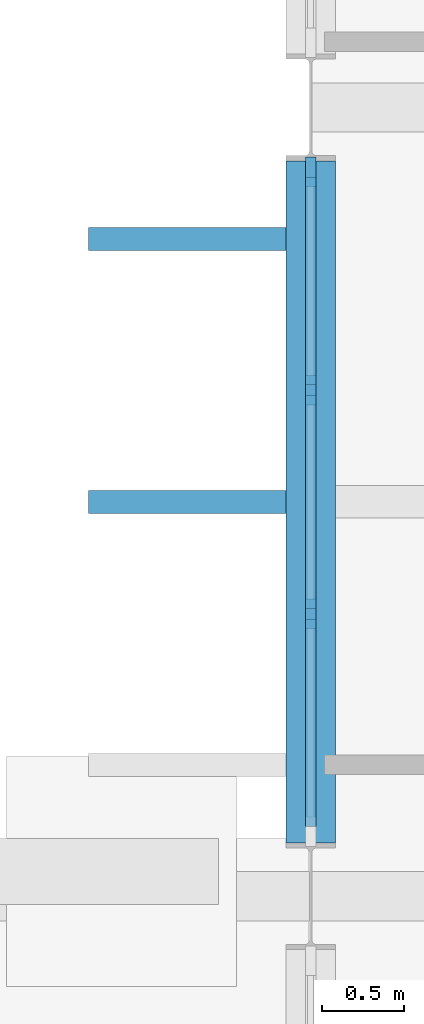
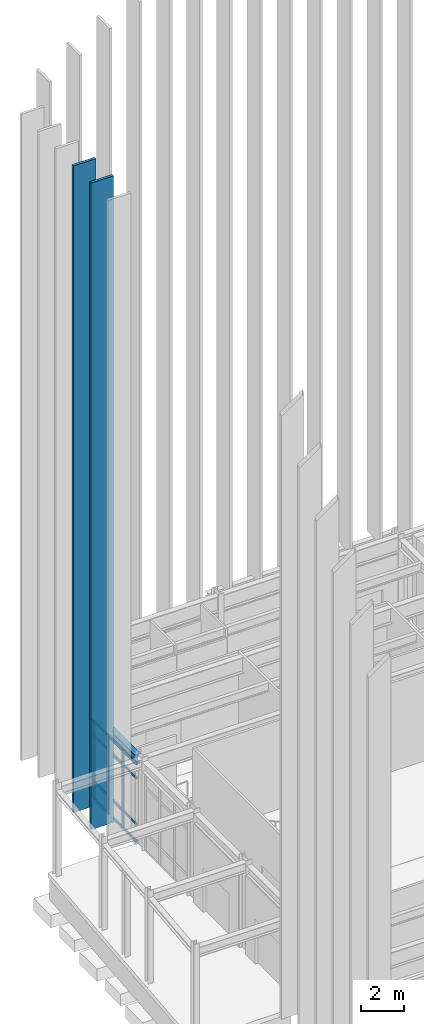
# One storey, part 46 of 109: 17 members, 1 beam, 1 element without a shape of its own.
"""IFC4 building model written with IfcOpenShell, lengths in metres."""

from ifc_helpers import new_model, si_unit, direction, frame, origin, origin_2d, place, context, subcontext, project, spatial, rectangle, i_section, extrude, material, layer, layer_set, material_profile, profile_set, type_object, element, aggregate, save


model = new_model("IFC4")

# Units and contexts
model_context = context("Model", 3, precision=1e-05, world=origin(), true_north=direction((0.0, 1.0)))
body_context = subcontext(model_context, "Body", "Model", "MODEL_VIEW")
ifc_project = project(units=[si_unit("LENGTHUNIT", "METRE"), si_unit("AREAUNIT", "SQUARE_METRE"), si_unit("VOLUMEUNIT", "CUBIC_METRE"), si_unit("PLANEANGLEUNIT", "RADIAN"), si_unit("MASSUNIT", "GRAM", prefix="KILO")], contexts=[model_context])

# Site, building, storey
site_placement = place(None, origin())
site = spatial("IfcSite", under=ifc_project, at=site_placement, CompositionType="ELEMENT")
building_placement = place(site_placement, origin())
building = spatial("IfcBuilding", under=site, at=building_placement, Name="Nordkorset Police Headquarters", CompositionType="ELEMENT")
storey_placement = place(building_placement, origin())
storey = spatial("IfcBuildingStorey", under=building, at=storey_placement, Name="L00", CompositionType="ELEMENT", Elevation=0.0)

# Curtain wall, members
ifc_material_1 = material(Name="Aluminium alloy AW-6060", Category="aluminium")
ifc_layer = layer(ifc_material_1, 0.179931640625, Name="Aluminium alloy AW-6060")
ifc_layer_set = layer_set([ifc_layer], Name="Aluminium alloy AW-6060")
curtain_wall_type = type_object("IfcCurtainWallType", Name="CW_Unit_408x444", PredefinedType="USERDEFINED", material=ifc_layer_set)
curtain_wall_placement = place(storey_placement, origin())
curtain_wall = element("IfcCurtainWall", 1, at=curtain_wall_placement, inside=storey, type_object=curtain_wall_type, Name="Unitised Curtain Wall L00 V1W-5", ObjectType="UNITISED CURTAIN WALL", PredefinedType="USERDEFINED")
ifc_material_2 = material(Name="Aluminium alloy AW-6060", Category="aluminium")
ifc_material_profile_1 = material_profile(ifc_material_2, rectangle(XDim=0.06494140625, YDim=0.179931640625, at=origin_2d()), Name="ALU MULL 65x180")
ifc_profile_set_1 = profile_set([ifc_material_profile_1], Name="Aluminium alloy AW-6060")
member_type_1 = type_object("IfcMemberType", Name="CW_Mullion_65x180", PredefinedType="MULLION", material=ifc_profile_set_1)
member_1_placement = place(storey_placement, frame((0.0, 108.919921875, 0.0), z_axis=(0.0, 0.0, 1.0), x_axis=(-1.0, 0.0, 0.0)))
member_1 = element("IfcMember", 2, at=member_1_placement, type_object=member_type_1, Name="CW-66 mullion 2", PredefinedType="MULLION", context=body_context, shape_type="SweptSolid", body=[
    extrude(rectangle(XDim=0.06494140625, YDim=0.179931640625, at=origin_2d()), origin(), (0.0, 0.0, 1.0), 4.43994140625),
])
member_2_placement = place(storey_placement, frame((0.0, 110.280029296875, 0.0), z_axis=(0.0, 0.0, 1.0), x_axis=(-1.0, 0.0, 0.0)))
member_2 = element("IfcMember", 3, at=member_2_placement, type_object=member_type_1, Name="CW-66 mullion 3", PredefinedType="MULLION", context=body_context, shape_type="SweptSolid", body=[
    extrude(rectangle(XDim=0.06494140625, YDim=0.179931640625, at=origin_2d()), origin(), (0.0, 0.0, 1.0), 4.43994140625),
])
member_3_placement = place(storey_placement, frame((0.0, 111.607421875, 0.0), z_axis=(0.0, 0.0, 1.0), x_axis=(-1.0, 0.0, 0.0)))
member_3 = element("IfcMember", 4, at=member_3_placement, type_object=member_type_1, Name="CW-66 mullion 4", PredefinedType="MULLION", context=body_context, shape_type="SweptSolid", body=[
    extrude(rectangle(XDim=0.06494140625, YDim=0.179931640625, at=origin_2d()), origin(), (0.0, 0.0, 1.0), 4.43994140625),
])
ifc_material_3 = material(Name="Aluminium alloy AW-6060", Category="aluminium")
ifc_material_profile_2 = material_profile(ifc_material_3, rectangle(XDim=0.06494140625, YDim=0.139892578125, at=origin_2d()), Name="ALU TRAN 65x140")
ifc_profile_set_2 = profile_set([ifc_material_profile_2], Name="Aluminium alloy AW-6060")
member_type_2 = type_object("IfcMemberType", Name="CW_Transom_65x140", PredefinedType="USERDEFINED", material=ifc_profile_set_2)
member_4_placement = place(storey_placement, frame((0.0, 107.625, 0.032470703125), z_axis=(0.0, 1.0, 0.0), x_axis=(-1.0, 0.0, 0.0)))
member_4 = element("IfcMember", 5, at=member_4_placement, type_object=member_type_2, Name="CW-66 transom 1.1", ObjectType="TRANSOM", PredefinedType="USERDEFINED", context=body_context, shape_type="SweptSolid", body=[
    extrude(rectangle(XDim=0.06494140625, YDim=0.139892578125, at=origin_2d()), origin(), (0.0, 0.0, 1.0), 1.262451171875),
])
member_5_placement = place(storey_placement, frame((0.0, 107.625, 1.0), z_axis=(0.0, 1.0, 0.0), x_axis=(-1.0, 0.0, 0.0)))
member_5 = element("IfcMember", 6, at=member_5_placement, type_object=member_type_2, Name="CW-66 transom 1.2", ObjectType="TRANSOM", PredefinedType="USERDEFINED", context=body_context, shape_type="SweptSolid", body=[
    extrude(rectangle(XDim=0.06494140625, YDim=0.139892578125, at=origin_2d()), origin(), (0.0, 0.0, 1.0), 1.262451171875),
])
member_6_placement = place(storey_placement, frame((0.0, 107.625, 3.590087890625), z_axis=(0.0, 1.0, 0.0), x_axis=(-1.0, 0.0, 0.0)))
member_6 = element("IfcMember", 7, at=member_6_placement, type_object=member_type_2, Name="CW-66 transom 1.3", ObjectType="TRANSOM", PredefinedType="USERDEFINED", context=body_context, shape_type="SweptSolid", body=[
    extrude(rectangle(XDim=0.06494140625, YDim=0.139892578125, at=origin_2d()), origin(), (0.0, 0.0, 1.0), 1.262451171875),
])
member_7_placement = place(storey_placement, frame((0.0, 107.625, 4.407470703125), z_axis=(0.0, 1.0, 0.0), x_axis=(-1.0, 0.0, 0.0)))
member_7 = element("IfcMember", 8, at=member_7_placement, type_object=member_type_2, Name="CW-66 transom 1.4", ObjectType="TRANSOM", PredefinedType="USERDEFINED", context=body_context, shape_type="SweptSolid", body=[
    extrude(rectangle(XDim=0.06494140625, YDim=0.139892578125, at=origin_2d()), origin(), (0.0, 0.0, 1.0), 1.262451171875),
])
member_8_placement = place(storey_placement, frame((0.0, 108.952392578125, 0.032470703125), z_axis=(0.0, 1.0, 0.0), x_axis=(-1.0, 0.0, 0.0)))
member_8 = element("IfcMember", 9, at=member_8_placement, type_object=member_type_2, Name="CW-66 transom 2.1", ObjectType="TRANSOM", PredefinedType="USERDEFINED", context=body_context, shape_type="SweptSolid", body=[
    extrude(rectangle(XDim=0.06494140625, YDim=0.139892578125, at=origin_2d()), origin(), (0.0, 0.0, 1.0), 1.295166015625),
])
member_9_placement = place(storey_placement, frame((0.0, 108.952392578125, 1.0), z_axis=(0.0, 1.0, 0.0), x_axis=(-1.0, 0.0, 0.0)))
member_9 = element("IfcMember", 10, at=member_9_placement, type_object=member_type_2, Name="CW-66 transom 2.2", ObjectType="TRANSOM", PredefinedType="USERDEFINED", context=body_context, shape_type="SweptSolid", body=[
    extrude(rectangle(XDim=0.06494140625, YDim=0.139892578125, at=origin_2d()), origin(), (0.0, 0.0, 1.0), 1.295166015625),
])
member_10_placement = place(storey_placement, frame((0.0, 108.952392578125, 3.590087890625), z_axis=(0.0, 1.0, 0.0), x_axis=(-1.0, 0.0, 0.0)))
member_10 = element("IfcMember", 11, at=member_10_placement, type_object=member_type_2, Name="CW-66 transom 2.3", ObjectType="TRANSOM", PredefinedType="USERDEFINED", context=body_context, shape_type="SweptSolid", body=[
    extrude(rectangle(XDim=0.06494140625, YDim=0.139892578125, at=origin_2d()), origin(), (0.0, 0.0, 1.0), 1.295166015625),
])
member_11_placement = place(storey_placement, frame((0.0, 108.952392578125, 4.407470703125), z_axis=(0.0, 1.0, 0.0), x_axis=(-1.0, 0.0, 0.0)))
member_11 = element("IfcMember", 12, at=member_11_placement, type_object=member_type_2, Name="CW-66 transom 2.4", ObjectType="TRANSOM", PredefinedType="USERDEFINED", context=body_context, shape_type="SweptSolid", body=[
    extrude(rectangle(XDim=0.06494140625, YDim=0.139892578125, at=origin_2d()), origin(), (0.0, 0.0, 1.0), 1.295166015625),
])
member_12_placement = place(storey_placement, frame((0.0, 110.3125, 0.032470703125), z_axis=(0.0, 1.0, 0.0), x_axis=(-1.0, 0.0, 0.0)))
member_12 = element("IfcMember", 13, at=member_12_placement, type_object=member_type_2, Name="CW-66 transom 3.1", ObjectType="TRANSOM", PredefinedType="USERDEFINED", context=body_context, shape_type="SweptSolid", body=[
    extrude(rectangle(XDim=0.06494140625, YDim=0.139892578125, at=origin_2d()), origin(), (0.0, 0.0, 1.0), 1.262451171875),
])
member_13_placement = place(storey_placement, frame((0.0, 110.3125, 1.0), z_axis=(0.0, 1.0, 0.0), x_axis=(-1.0, 0.0, 0.0)))
member_13 = element("IfcMember", 14, at=member_13_placement, type_object=member_type_2, Name="CW-66 transom 3.2", ObjectType="TRANSOM", PredefinedType="USERDEFINED", context=body_context, shape_type="SweptSolid", body=[
    extrude(rectangle(XDim=0.06494140625, YDim=0.139892578125, at=origin_2d()), origin(), (0.0, 0.0, 1.0), 1.262451171875),
])
member_14_placement = place(storey_placement, frame((0.0, 110.3125, 3.590087890625), z_axis=(0.0, 1.0, 0.0), x_axis=(-1.0, 0.0, 0.0)))
member_14 = element("IfcMember", 15, at=member_14_placement, type_object=member_type_2, Name="CW-66 transom 3.3", ObjectType="TRANSOM", PredefinedType="USERDEFINED", context=body_context, shape_type="SweptSolid", body=[
    extrude(rectangle(XDim=0.06494140625, YDim=0.139892578125, at=origin_2d()), origin(), (0.0, 0.0, 1.0), 1.262451171875),
])
member_15_placement = place(storey_placement, frame((0.0, 110.3125, 4.407470703125), z_axis=(0.0, 1.0, 0.0), x_axis=(-1.0, 0.0, 0.0)))
member_15 = element("IfcMember", 16, at=member_15_placement, type_object=member_type_2, Name="CW-66 transom 3.4", ObjectType="TRANSOM", PredefinedType="USERDEFINED", context=body_context, shape_type="SweptSolid", body=[
    extrude(rectangle(XDim=0.06494140625, YDim=0.139892578125, at=origin_2d()), origin(), (0.0, 0.0, 1.0), 1.262451171875),
])
aggregate(curtain_wall, [member_1, member_2, member_3, member_4, member_5, member_6, member_7, member_8, member_9, member_10, member_11, member_12, member_13, member_14, member_15])

# Beam
ifc_material_4 = material(Name="Steel S355J2", Category="steel")
ifc_material_profile_3 = material_profile(ifc_material_4, i_section(OverallWidth=0.300048828125, OverallDepth=0.5400390625, WebThickness=0.012451171875, FlangeThickness=0.02392578125, FilletRadius=0.027099609375, at=origin_2d()), Name="HEA 550")
ifc_profile_set_3 = profile_set([ifc_material_profile_3], Name="Steel S355J2")
beam_type = type_object("IfcBeamType", Name="Girder_HEA_550", PredefinedType="USERDEFINED", material=ifc_profile_set_3)
beam_placement = place(storey_placement, frame((0.0, 107.52490234375, 4.72998046875), z_axis=(0.0, 1.0, 0.0), x_axis=(-1.0, 0.0, 0.0)))
element("IfcBeam", 17, at=beam_placement, inside=storey, type_object=beam_type, Name="Girder V1 L00 GY-0-5", ObjectType="GIRDER", PredefinedType="USERDEFINED", context=body_context, shape_type="SweptSolid", body=[
    extrude(i_section(OverallWidth=0.300048828125, OverallDepth=0.5400390625, WebThickness=0.012451171875, FlangeThickness=0.02392578125, FilletRadius=0.027099609375, at=origin_2d()), origin(), (0.0, 0.0, 1.0), 4.150146484375),
])

# Members
ifc_material_5 = material(Name="Glulam GL30c", Category="wood")
ifc_material_profile_4 = material_profile(ifc_material_5, rectangle(XDim=0.139892578125, YDim=1.199951171875, at=origin_2d()), Name="GL30C FIN 140x1200")
ifc_profile_set_4 = profile_set([ifc_material_profile_4], Name="Glulam GL30c")
member_type_3 = type_object("IfcMemberType", Name="Member_GlulamFin_140x1200", PredefinedType="USERDEFINED", material=ifc_profile_set_4)
for number, where, z_axis, x_axis, name in (
    (18, (-0.75, 109.60009765625, 0.0), (0.0, 0.0, 1.0), (0.0, 1.0, 0.0), "Vertical Glulam Timber Fin West 017"),
    (19, (-0.75, 111.199951171875, 0.0), (0.0, 0.0, 1.0), (0.0, 1.0, 0.0), "Vertical Glulam Timber Fin West 018"),
):
    element("IfcMember", number, at=place(storey_placement, frame(where, z_axis=z_axis, x_axis=x_axis)), inside=storey, type_object=member_type_3, Name=name, ObjectType="VERTICAL TIMBER FIN", PredefinedType="USERDEFINED", context=body_context, shape_type="SweptSolid", body=[
        extrude(rectangle(XDim=0.139892578125, YDim=1.199951171875, at=origin_2d()), origin(), (0.0, 0.0, 1.0), 36.409912109375),
    ])

save(model, "model.ifc")
